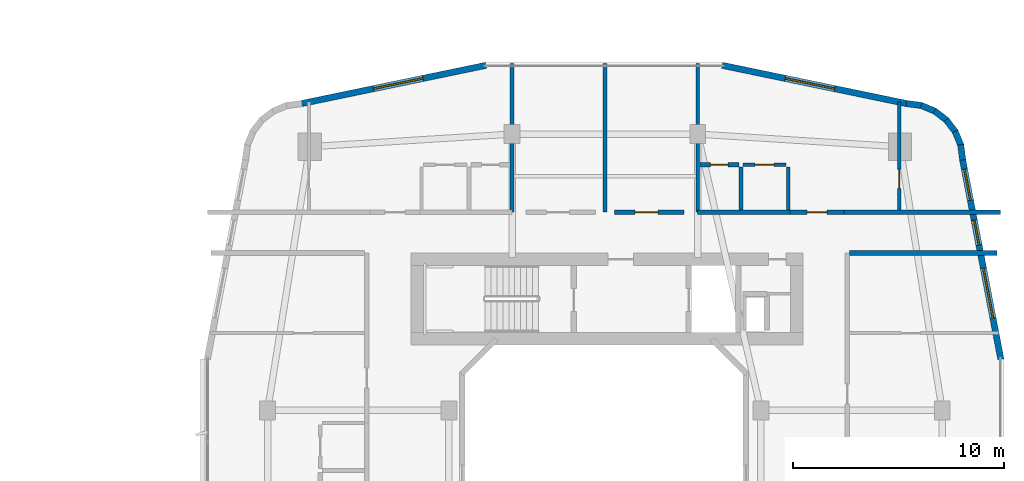
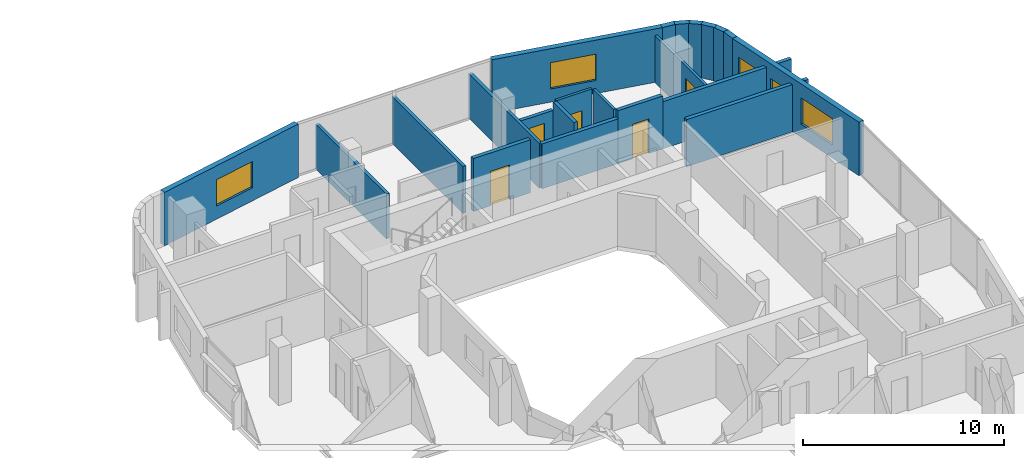
# One storey, part 21 of 27: 22 walls, 5 doors, 5 windows, 10 openings.
"""IFC4 building model written with IfcOpenShell, lengths in metres."""

from ifc_helpers import new_model, si_unit, derived_unit, direction, frame, frame_2d, origin, place, context, subcontext, project, spatial, rectangle, extrude, material, layer, layer_set, type_object, element, fill, save


model = new_model("IFC4")

# Units and contexts
model_context = context("Model", 3, precision=1e-05, world=origin(), true_north=direction((0.0, 1.0)))
body_context = subcontext(model_context, "Body", "Model", "MODEL_VIEW")
ifc_project = project(units=[si_unit("LENGTHUNIT", "METRE"), si_unit("AREAUNIT", "SQUARE_METRE"), si_unit("VOLUMEUNIT", "CUBIC_METRE"), si_unit("PLANEANGLEUNIT", "RADIAN"), si_unit("MASSUNIT", "GRAM", prefix="KILO"), derived_unit("THERMALTRANSMITTANCEUNIT", [(si_unit("POWERUNIT", "WATT"), 1), (si_unit("LENGTHUNIT", "METRE"), -2), (si_unit("THERMODYNAMICTEMPERATUREUNIT", "KELVIN"), -1)])], contexts=[model_context])

# Site, building, storey
site_placement = place(None, origin())
site = spatial("IfcSite", under=ifc_project, at=site_placement, CompositionType="ELEMENT")
building_placement = place(site_placement, origin())
building = spatial("IfcBuilding", under=site, at=building_placement, Name="Kivonza Crest Hotel", CompositionType="ELEMENT")
storey_placement = place(building_placement, frame((0.0, 0.0, 38.0)))
storey = spatial("IfcBuildingStorey", under=building, at=storey_placement, Name="L09", CompositionType="ELEMENT", Elevation=38.0)

# Walls
ifc_material_1 = material(Name="High-density acoustic masonry inter-tenancy wall", Category="masonry")
ifc_layer_1 = layer(ifc_material_1, 0.179931640625)
ifc_layer_set_1 = layer_set([ifc_layer_1], Name="High-density acoustic masonry inter-tenancy wall")
wall_type_1 = type_object("IfcWallType", Name="WL-ACOU-180", PredefinedType="SOLIDWALL", material=ifc_layer_set_1)
wall_1_placement = place(storey_placement, frame((72.60009765625, 37.89990234375, 0.0), z_axis=(0.0, 0.0, 1.0), x_axis=(0.0, 1.0, 0.0)))
element("IfcWall", 1, at=wall_1_placement, inside=storey, type_object=wall_type_1, Name="L09 interior partition WA-L09-T2N-DIV1", PredefinedType="SOLIDWALL", context=body_context, shape_type="SweptSolid", body=[
    extrude(rectangle(XDim=7.0400390625, YDim=0.179931640625, at=frame_2d((3.52001953125, 0.0))), origin(), (0.0, 0.0, 1.0), 2.72509765625),
])
wall_2_placement = place(storey_placement, frame((77.0, 37.89990234375, 0.0), z_axis=(0.0, 0.0, 1.0), x_axis=(0.0, 1.0, 0.0)))
element("IfcWall", 2, at=wall_2_placement, inside=storey, type_object=wall_type_1, Name="L09 interior partition WA-L09-T2N-OFFDIV", PredefinedType="SOLIDWALL", context=body_context, shape_type="SweptSolid", body=[
    extrude(rectangle(XDim=7.0400390625, YDim=0.179931640625, at=frame_2d((3.52001953125, 0.0))), origin(), (0.0, 0.0, 1.0), 2.864990234375),
])
wall_3_placement = place(storey_placement, frame((81.39990234375, 37.89990234375, 0.0), z_axis=(0.0, 0.0, 1.0), x_axis=(0.0, 1.0, 0.0)))
element("IfcWall", 3, at=wall_3_placement, inside=storey, type_object=wall_type_1, Name="L09 interior partition WA-L09-T2N-DIV2", PredefinedType="SOLIDWALL", context=body_context, shape_type="SweptSolid", body=[
    extrude(rectangle(XDim=7.0400390625, YDim=0.179931640625, at=frame_2d((3.52001953125, 0.0))), origin(), (0.0, 0.0, 1.0), 2.72509765625),
])

# Wall, opening, door
ifc_material_2 = material(Name="Autoclaved aerated concrete blockwork", Category="masonry")
ifc_layer_2 = layer(ifc_material_2, 0.219970703125)
ifc_layer_set_2 = layer_set([ifc_layer_2], Name="Autoclaved aerated concrete blockwork")
wall_type_2 = type_object("IfcWallType", Name="WL-ACOU-220", PredefinedType="SOLIDWALL", material=ifc_layer_set_2)
wall_4_placement = place(storey_placement, frame((77.449951171875, 37.89990234375, 0.0), z_axis=(0.0, 0.0, 1.0), x_axis=(1.0, 0.0, 0.0)))
wall_4 = element("IfcWall", 4, at=wall_4_placement, inside=storey, type_object=wall_type_2, Name="L09 interior partition WA-L09-T2-OFF2-S", PredefinedType="SOLIDWALL", context=body_context, shape_type="SweptSolid", body=[
    extrude(rectangle(XDim=3.300048828125, YDim=0.219970703125, at=frame_2d((1.64990234375, 0.0))), origin(), (0.0, 0.0, 1.0), 3.219970703125),
])
opening_1_placement = place(wall_4_placement, frame((0.97998046875, 0.0, 0.0)))
opening_1 = element("IfcOpeningElement", 5, at=opening_1_placement, cuts=wall_4, Name="Opening DF-60M", PredefinedType="OPENING", context=body_context, shape_type="SweptSolid", body=[
    extrude(rectangle(XDim=1.10009765625, YDim=2.10009765625, at=frame_2d((0.550048828125, 1.050048828125))), frame((0.0, 0.1201171875, 0.0), z_axis=(0.0, -1.0, 0.0), x_axis=(1.0, 0.0, 0.0)), (0.0, 0.0, 1.0), 0.239990234375),
])
ifc_material_3 = material(Name="Hardwood timber oak", Category="wood")
door_type_1 = type_object("IfcDoorType", Name="DR-FD60-1100", OperationType="NOTDEFINED", PredefinedType="DOOR", material=ifc_material_3)
door_1_placement = place(opening_1_placement, origin())
door_1 = element("IfcDoor", 6, at=door_1_placement, inside=storey, type_object=door_type_1, Name="L09 Resident Co-Working Study East door", OperationType="SINGLE_SWING_LEFT", OverallHeight=2.10009765625, OverallWidth=1.10009765625, PredefinedType="DOOR", context=body_context, shape_type="SweptSolid", body=[
    extrude(rectangle(XDim=1.10009765625, YDim=2.10009765625, at=frame_2d((0.550048828125, 1.050048828125))), frame((0.0, 0.02490234375, 0.0), z_axis=(0.0, -1.0, 0.0), x_axis=(1.0, 0.0, 0.0)), (0.0, 0.0, 1.0), 0.050048828125),
])
fill(opening_1, door_1)

# Walls
wall_5_placement = place(storey_placement, frame((81.39990234375, 37.89990234375, 0.0), z_axis=(0.0, 0.0, 1.0), x_axis=(1.0, 0.0, 0.0)))
element("IfcWall", 7, at=wall_5_placement, inside=storey, type_object=wall_type_2, Name="L09 interior partition WA-L09-A02-LCORR", PredefinedType="SOLIDWALL", context=body_context, shape_type="SweptSolid", body=[
    extrude(rectangle(XDim=4.380126953125, YDim=0.219970703125, at=frame_2d((2.18994140625, 0.0))), origin(), (0.0, 0.0, 1.0), 2.72509765625),
])
wall_6_placement = place(storey_placement, frame((88.35009765625, 37.89990234375, 0.0), z_axis=(0.0, 0.0, 1.0), x_axis=(1.0, 0.0, 0.0)))
element("IfcWall", 8, at=wall_6_placement, inside=storey, type_object=wall_type_2, Name="L09 interior partition WA-L09-A02-RCORR", PredefinedType="SOLIDWALL", context=body_context, shape_type="SweptSolid", body=[
    extrude(rectangle(XDim=7.409912109375, YDim=0.219970703125, at=frame_2d((3.705078125, 0.0))), origin(), (0.0, 0.0, 1.0), 2.864990234375),
])

# Wall, opening, door
wall_7_placement = place(storey_placement, frame((85.780029296875, 37.89990234375, 0.0), z_axis=(0.0, 0.0, 1.0), x_axis=(1.0, 0.0, 0.0)))
wall_7 = element("IfcWall", 9, at=wall_7_placement, inside=storey, type_object=wall_type_2, Name="L09 interior partition WA-L09-A02-MCORR", PredefinedType="SOLIDWALL", context=body_context, shape_type="SweptSolid", body=[
    extrude(rectangle(XDim=2.570068359375, YDim=0.219970703125, at=frame_2d((1.28515625, 0.0))), origin(), (0.0, 0.0, 1.0), 3.219970703125),
])
opening_2_placement = place(wall_7_placement, frame((0.81005859375, 0.0, 0.0)))
opening_2 = element("IfcOpeningElement", 10, at=opening_2_placement, cuts=wall_7, Name="Opening DU-60", PredefinedType="OPENING", context=body_context, shape_type="SweptSolid", body=[
    extrude(rectangle(XDim=0.949951171875, YDim=2.10009765625, at=frame_2d((0.47509765625, 1.050048828125))), frame((0.0, 0.1201171875, 0.0), z_axis=(0.0, -1.0, 0.0), x_axis=(1.0, 0.0, 0.0)), (0.0, 0.0, 1.0), 0.239990234375),
])
door_type_2 = type_object("IfcDoorType", Name="DR-UNIT-950", OperationType="NOTDEFINED", PredefinedType="DOOR", material=ifc_material_3)
door_2_placement = place(opening_2_placement, origin())
door_2 = element("IfcDoor", 11, at=door_2_placement, inside=storey, type_object=door_type_2, Name="L09 A02 apartment entrance fire door", OperationType="SINGLE_SWING_RIGHT", OverallHeight=2.10009765625, OverallWidth=0.949951171875, PredefinedType="DOOR", context=body_context, shape_type="SweptSolid", body=[
    extrude(rectangle(XDim=0.949951171875, YDim=2.10009765625, at=frame_2d((0.47509765625, 1.050048828125))), frame((0.0, 0.02490234375, 0.0), z_axis=(0.0, -1.0, 0.0), x_axis=(1.0, 0.0, 0.0)), (0.0, 0.0, 1.0), 0.050048828125),
])
fill(opening_2, door_2)

# Wall
wall_8_placement = place(storey_placement, frame((88.60009765625, 35.9599609375, 0.0), z_axis=(0.0, 0.0, 1.0), x_axis=(1.0, 0.0, 0.0)))
element("IfcWall", 12, at=wall_8_placement, inside=storey, type_object=wall_type_2, Name="L09 interior partition WA-L09-T2E-ENDN", PredefinedType="SOLIDWALL", context=body_context, shape_type="SweptSolid", body=[
    extrude(rectangle(XDim=7.0, YDim=0.219970703125, at=frame_2d((3.5, 0.0))), origin(), (0.0, 0.0, 1.0), 2.864990234375),
])

# Wall, openings, windows
ifc_material_4 = material(Name="Precast concrete C40/50", Category="concrete")
ifc_layer_3 = layer(ifc_material_4, 0.300048828125)
ifc_layer_set_3 = layer_set([ifc_layer_3], Name="Precast concrete C40/50")
wall_type_3 = type_object("IfcWallType", Name="WL-EXT-300", PredefinedType="STANDARD", material=ifc_layer_set_3)
wall_9_placement = place(storey_placement, frame((95.782958984375, 30.91796875, 0.0), z_axis=(0.0, 0.0, 1.0), x_axis=(-0.188087874316, 0.982152203854, 0.0)))
wall_9 = element("IfcWall", 13, at=wall_9_placement, inside=storey, type_object=wall_type_3, Name="L09 T2 exterior insulated wall 18", PredefinedType="STANDARD", context=body_context, shape_type="SweptSolid", body=[
    extrude(rectangle(XDim=9.6337890625, YDim=0.300048828125, at=frame_2d((4.81689453125, 0.0))), origin(), (0.0, 0.0, 1.0), 3.25),
])
opening_3_placement = place(wall_9_placement, frame((1.9990234375, 0.0, 0.800048828125)))
opening_3 = element("IfcOpeningElement", 14, at=opening_3_placement, cuts=wall_9, Name="Opening WN-05", PredefinedType="OPENING", context=body_context, shape_type="SweptSolid", body=[
    extrude(rectangle(XDim=2.39990234375, YDim=1.60009765625, at=frame_2d((1.199951171875, 0.800048828125))), frame((0.0, 0.16015625, 0.0), z_axis=(0.0, -1.0, 0.0), x_axis=(1.0, 0.0, 0.0)), (0.0, 0.0, 1.0), 0.320068359375),
])
opening_4_placement = place(wall_9_placement, frame((5.52099609375, 0.0, 0.85009765625)))
opening_4 = element("IfcOpeningElement", 15, at=opening_4_placement, cuts=wall_9, Name="Opening WN-01", PredefinedType="OPENING", context=body_context, shape_type="SweptSolid", body=[
    extrude(rectangle(XDim=1.199951171875, YDim=1.5, at=frame_2d((0.60009765625, 0.75))), frame((0.0, 0.16015625, 0.0), z_axis=(0.0, -1.0, 0.0), x_axis=(1.0, 0.0, 0.0)), (0.0, 0.0, 1.0), 0.320068359375),
])
opening_5_placement = place(wall_9_placement, frame((7.681884765625, 0.0, 0.85009765625)))
opening_5 = element("IfcOpeningElement", 16, at=opening_5_placement, cuts=wall_9, Name="Opening WN-02", PredefinedType="OPENING", context=body_context, shape_type="SweptSolid", body=[
    extrude(rectangle(XDim=1.5, YDim=1.5, at=frame_2d((0.75, 0.75))), frame((0.0, 0.16015625, 0.0), z_axis=(0.0, -1.0, 0.0), x_axis=(1.0, 0.0, 0.0)), (0.0, 0.0, 1.0), 0.320068359375),
])
ifc_material_5 = material(Name="Thermally broken bronze aluminium and low-E double glazing", Category="aluminium")
window_type_1 = type_object("IfcWindowType", Name="WN-120x150", PartitioningType="SINGLE_PANEL", PredefinedType="WINDOW", material=ifc_material_5)
window_1_placement = place(opening_4_placement, origin())
window_1 = element("IfcWindow", 17, at=window_1_placement, inside=storey, type_object=window_type_1, Name="L09 T2 facade window 18 bay 2", OverallHeight=1.5, OverallWidth=1.199951171875, PartitioningType="SINGLE_PANEL", PredefinedType="WINDOW", context=body_context, shape_type="SweptSolid", body=[
    extrude(rectangle(XDim=1.199951171875, YDim=1.5, at=frame_2d((0.60009765625, 0.75))), frame((0.0, 0.030029296875, 0.0), z_axis=(0.0, -1.0, 0.0), x_axis=(1.0, 0.0, 0.0)), (0.0, 0.0, 1.0), 0.06005859375),
])
fill(opening_4, window_1)
window_type_2 = type_object("IfcWindowType", Name="WN-150x150", PartitioningType="DOUBLE_PANEL_VERTICAL", PredefinedType="WINDOW", material=ifc_material_5)
window_2_placement = place(opening_5_placement, origin())
window_2 = element("IfcWindow", 18, at=window_2_placement, inside=storey, type_object=window_type_2, Name="L09 T2 facade window 18 bay 3", OverallHeight=1.5, OverallWidth=1.5, PartitioningType="SINGLE_PANEL", PredefinedType="WINDOW", context=body_context, shape_type="SweptSolid", body=[
    extrude(rectangle(XDim=1.5, YDim=1.5, at=frame_2d((0.75, 0.75))), frame((0.0, 0.030029296875, 0.0), z_axis=(0.0, -1.0, 0.0), x_axis=(1.0, 0.0, 0.0)), (0.0, 0.0, 1.0), 0.06005859375),
])
fill(opening_5, window_2)
window_type_3 = type_object("IfcWindowType", Name="WN-240x160", PartitioningType="TRIPLE_PANEL_VERTICAL", PredefinedType="WINDOW", material=ifc_material_5)
window_3_placement = place(opening_3_placement, origin())
window_3 = element("IfcWindow", 19, at=window_3_placement, inside=storey, type_object=window_type_3, Name="L09 T2 facade window 18 bay 1", OverallHeight=1.60009765625, OverallWidth=2.39990234375, PartitioningType="SINGLE_PANEL", PredefinedType="WINDOW", context=body_context, shape_type="SweptSolid", body=[
    extrude(rectangle(XDim=2.39990234375, YDim=1.60009765625, at=frame_2d((1.199951171875, 0.800048828125))), frame((0.0, 0.030029296875, 0.0), z_axis=(0.0, -1.0, 0.0), x_axis=(1.0, 0.0, 0.0)), (0.0, 0.0, 1.0), 0.06005859375),
])
fill(opening_3, window_3)

# Walls
wall_10_placement = place(storey_placement, frame((93.971923828125, 40.373046875, 0.0), z_axis=(0.0, 0.0, 1.0), x_axis=(-0.130255288807, 0.991480488834, 0.0)))
element("IfcWall", 20, at=wall_10_placement, inside=storey, type_object=wall_type_3, Name="L09 T2 exterior insulated wall 19", PredefinedType="STANDARD", context=body_context, shape_type="SweptSolid", body=[
    extrude(rectangle(XDim=0.72900390625, YDim=0.300048828125, at=frame_2d((0.364501953125, 0.0))), origin(), (0.0, 0.0, 1.0), 3.25),
])
wall_11_placement = place(storey_placement, frame((93.89599609375, 41.044921875, 0.0), z_axis=(0.0, 0.0, 1.0), x_axis=(-0.383267045233, 0.923637576129, 0.0)))
element("IfcWall", 21, at=wall_11_placement, inside=storey, type_object=wall_type_3, Name="L09 T2 exterior insulated wall 20", PredefinedType="STANDARD", context=body_context, shape_type="SweptSolid", body=[
    extrude(rectangle(XDim=0.745849609375, YDim=0.300048828125, at=frame_2d((0.373046875, 0.0))), origin(), (0.0, 0.0, 1.0), 3.25),
])
for number, where, z_axis, x_axis, name in (
    (22, (93.64111328125, 41.68896484375, 0.0), (0.0, 0.0, 1.0), (-0.608603261071, 0.793474681772, 0.0), "L09 T2 exterior insulated wall 21"),
    (23, (93.22900390625, 42.24609375, 0.0), (0.0, 0.0, 1.0), (-0.79363269798, 0.608397189915, 0.0), "L09 T2 exterior insulated wall 22"),
):
    element("IfcWall", number, at=place(storey_placement, frame(where, z_axis=z_axis, x_axis=x_axis)), inside=storey, type_object=wall_type_3, Name=name, PredefinedType="STANDARD", context=body_context, shape_type="SweptSolid", body=[
        extrude(rectangle(XDim=0.74609375, YDim=0.300048828125, at=frame_2d((0.373046875, 0.0))), origin(), (0.0, 0.0, 1.0), 3.25),
    ])
wall_12_placement = place(storey_placement, frame((92.68603515625, 42.676025390625, 0.0), z_axis=(0.0, 0.0, 1.0), x_axis=(-0.923637576129, 0.383267045233, 0.0)))
element("IfcWall", 24, at=wall_12_placement, inside=storey, type_object=wall_type_3, Name="L09 T2 exterior insulated wall 23", PredefinedType="STANDARD", context=body_context, shape_type="SweptSolid", body=[
    extrude(rectangle(XDim=0.745849609375, YDim=0.300048828125, at=frame_2d((0.373046875, 0.0))), origin(), (0.0, 0.0, 1.0), 3.25),
])
wall_13_placement = place(storey_placement, frame((92.051025390625, 42.952880859375, 0.0), z_axis=(0.0, 0.0, 1.0), x_axis=(-0.991559404866, 0.129653178221, 0.0)))
element("IfcWall", 25, at=wall_13_placement, inside=storey, type_object=wall_type_3, Name="L09 T2 exterior insulated wall 24", PredefinedType="STANDARD", context=body_context, shape_type="SweptSolid", body=[
    extrude(rectangle(XDim=0.764404296875, YDim=0.300048828125, at=frame_2d((0.38232421875, 0.0))), origin(), (0.0, 0.0, 1.0), 3.25),
])

# Wall, opening, window
wall_14_placement = place(storey_placement, frame((91.298095703125, 43.051025390625, 0.0), z_axis=(0.0, 0.0, 1.0), x_axis=(-0.979128391325, 0.203242695569, 0.0)))
wall_14 = element("IfcWall", 26, at=wall_14_placement, inside=storey, type_object=wall_type_3, Name="L09 T2 exterior insulated wall 25", PredefinedType="STANDARD", context=body_context, shape_type="SweptSolid", body=[
    extrude(rectangle(XDim=8.92041015625, YDim=0.300048828125, at=frame_2d((4.460205078125, 0.0))), origin(), (0.0, 0.0, 1.0), 3.25),
])
opening_6_placement = place(wall_14_placement, frame((3.471923828125, 0.0, 0.800048828125)))
opening_6 = element("IfcOpeningElement", 27, at=opening_6_placement, cuts=wall_14, Name="Opening WN-05", PredefinedType="OPENING", context=body_context, shape_type="SweptSolid", body=[
    extrude(rectangle(XDim=2.39990234375, YDim=1.60009765625, at=frame_2d((1.199951171875, 0.800048828125))), frame((0.0, 0.16015625, 0.0), z_axis=(0.0, -1.0, 0.0), x_axis=(1.0, 0.0, 0.0)), (0.0, 0.0, 1.0), 0.320068359375),
])
window_4_placement = place(opening_6_placement, origin())
window_4 = element("IfcWindow", 28, at=window_4_placement, inside=storey, type_object=window_type_3, Name="L09 T2 facade window 25", OverallHeight=1.60009765625, OverallWidth=2.39990234375, PartitioningType="SINGLE_PANEL", PredefinedType="WINDOW", context=body_context, shape_type="SweptSolid", body=[
    extrude(rectangle(XDim=2.39990234375, YDim=1.60009765625, at=frame_2d((1.199951171875, 0.800048828125))), frame((0.0, 0.030029296875, 0.0), z_axis=(0.0, -1.0, 0.0), x_axis=(1.0, 0.0, 0.0)), (0.0, 0.0, 1.0), 0.06005859375),
])
fill(opening_6, window_4)

wall_15_placement = place(storey_placement, frame((71.35595703125, 44.864013671875, 0.0), z_axis=(0.0, 0.0, 1.0), x_axis=(-0.979127260729, -0.203248142175, 0.0)))
wall_15 = element("IfcWall", 29, at=wall_15_placement, inside=storey, type_object=wall_type_3, Name="L09 T2 exterior insulated wall 27", PredefinedType="STANDARD", context=body_context, shape_type="SweptSolid", body=[
    extrude(rectangle(XDim=8.920166015625, YDim=0.300048828125, at=frame_2d((4.4599609375, 0.0))), origin(), (0.0, 0.0, 1.0), 3.25),
])
opening_7_placement = place(wall_15_placement, frame((3.048095703125, 0.0, 0.800048828125)))
opening_7 = element("IfcOpeningElement", 30, at=opening_7_placement, cuts=wall_15, Name="Opening WN-05", PredefinedType="OPENING", context=body_context, shape_type="SweptSolid", body=[
    extrude(rectangle(XDim=2.39990234375, YDim=1.60009765625, at=frame_2d((1.199951171875, 0.800048828125))), frame((0.0, 0.16015625, 0.0), z_axis=(0.0, -1.0, 0.0), x_axis=(1.0, 0.0, 0.0)), (0.0, 0.0, 1.0), 0.320068359375),
])
window_5_placement = place(opening_7_placement, origin())
window_5 = element("IfcWindow", 31, at=window_5_placement, inside=storey, type_object=window_type_3, Name="L09 T2 facade window 27", OverallHeight=1.60009765625, OverallWidth=2.39990234375, PartitioningType="SINGLE_PANEL", PredefinedType="WINDOW", context=body_context, shape_type="SweptSolid", body=[
    extrude(rectangle(XDim=2.39990234375, YDim=1.60009765625, at=frame_2d((1.199951171875, 0.800048828125))), frame((0.0, 0.030029296875, 0.0), z_axis=(0.0, -1.0, 0.0), x_axis=(1.0, 0.0, 0.0)), (0.0, 0.0, 1.0), 0.06005859375),
])
fill(opening_7, window_5)

# Wall, opening, door
ifc_material_6 = material(Name="Twin-stud acoustic gypsum board partition", Category="gypsum")
ifc_layer_4 = layer(ifc_material_6, 0.14990234375)
ifc_layer_set_4 = layer_set([ifc_layer_4], Name="Twin-stud acoustic gypsum board partition")
wall_type_4 = type_object("IfcWallType", Name="WL-PART-150", PredefinedType="PARTITIONING", material=ifc_layer_set_4)
wall_16_placement = place(storey_placement, frame((90.9599609375, 38.0, 0.0), z_axis=(0.0, 0.0, 1.0), x_axis=(0.0, 1.0, 0.0)))
wall_16 = element("IfcWall", 32, at=wall_16_placement, inside=storey, type_object=wall_type_4, Name="L09 interior partition WP-L09-A02-BDW1", PredefinedType="PARTITIONING", context=body_context, shape_type="SweptSolid", body=[
    extrude(rectangle(XDim=5.113037109375, YDim=0.14990234375, at=frame_2d((2.556640625, 0.0))), origin(), (0.0, 0.0, 1.0), 2.864990234375),
])
opening_8_placement = place(wall_16_placement, frame((1.030029296875, 0.0, 0.0)))
opening_8 = element("IfcOpeningElement", 33, at=opening_8_placement, cuts=wall_16, Name="Opening DI-90", PredefinedType="OPENING", context=body_context, shape_type="SweptSolid", body=[
    extrude(rectangle(XDim=0.89990234375, YDim=2.10009765625, at=frame_2d((0.449951171875, 1.050048828125))), frame((0.0, 0.0849609375, 0.0), z_axis=(0.0, -1.0, 0.0), x_axis=(1.0, 0.0, 0.0)), (0.0, 0.0, 1.0), 0.169921875),
])
door_type_3 = type_object("IfcDoorType", Name="DR-INT-900", OperationType="NOTDEFINED", PredefinedType="DOOR", material=ifc_material_3)
door_3_placement = place(opening_8_placement, origin())
door_3 = element("IfcDoor", 34, at=door_3_placement, inside=storey, type_object=door_type_3, Name="L09 A02 bedroom 1 door", OperationType="SINGLE_SWING_LEFT", OverallHeight=2.10009765625, OverallWidth=0.89990234375, PredefinedType="DOOR", context=body_context, shape_type="SweptSolid", body=[
    extrude(rectangle(XDim=0.89990234375, YDim=2.10009765625, at=frame_2d((0.449951171875, 1.050048828125))), frame((0.0, 0.02490234375, 0.0), z_axis=(0.0, -1.0, 0.0), x_axis=(1.0, 0.0, 0.0)), (0.0, 0.0, 1.0), 0.050048828125),
])
fill(opening_8, door_3)

# Wall
wall_17_placement = place(storey_placement, frame((85.699951171875, 38.0, 0.0), z_axis=(0.0, 0.0, 1.0), x_axis=(0.0, 1.0, 0.0)))
element("IfcWall", 35, at=wall_17_placement, inside=storey, type_object=wall_type_4, Name="L09 interior partition WP-L09-A02-KF", PredefinedType="PARTITIONING", context=body_context, shape_type="SweptSolid", body=[
    extrude(rectangle(XDim=2.050048828125, YDim=0.14990234375, at=frame_2d((1.02490234375, 0.0))), origin(), (0.0, 0.0, 1.0), 3.219970703125),
])

# Wall, opening, door
wall_18_placement = place(storey_placement, frame((83.550048828125, 40.14990234375, 0.0), z_axis=(0.0, 0.0, 1.0), x_axis=(1.0, 0.0, 0.0)))
wall_18 = element("IfcWall", 36, at=wall_18_placement, inside=storey, type_object=wall_type_4, Name="L09 interior partition WP-L09-A02-KSVC", PredefinedType="PARTITIONING", context=body_context, shape_type="SweptSolid", body=[
    extrude(rectangle(XDim=2.050048828125, YDim=0.14990234375, at=frame_2d((1.02490234375, 0.0))), origin(), (0.0, 0.0, 1.0), 3.219970703125),
])
opening_9_placement = place(wall_18_placement, frame((0.574951171875, 0.0, 0.0)))
opening_9 = element("IfcOpeningElement", 37, at=opening_9_placement, cuts=wall_18, Name="Opening DI-90", PredefinedType="OPENING", context=body_context, shape_type="SweptSolid", body=[
    extrude(rectangle(XDim=0.89990234375, YDim=2.10009765625, at=frame_2d((0.449951171875, 1.050048828125))), frame((0.0, 0.0849609375, 0.0), z_axis=(0.0, -1.0, 0.0), x_axis=(1.0, 0.0, 0.0)), (0.0, 0.0, 1.0), 0.169921875),
])
door_4_placement = place(opening_9_placement, origin())
door_4 = element("IfcDoor", 38, at=door_4_placement, inside=storey, type_object=door_type_3, Name="L09 A02 apartment kitchen door", OperationType="SINGLE_SWING_RIGHT", OverallHeight=2.10009765625, OverallWidth=0.89990234375, PredefinedType="DOOR", context=body_context, shape_type="SweptSolid", body=[
    extrude(rectangle(XDim=0.89990234375, YDim=2.10009765625, at=frame_2d((0.449951171875, 1.050048828125))), frame((0.0, 0.02490234375, 0.0), z_axis=(0.0, -1.0, 0.0), x_axis=(1.0, 0.0, 0.0)), (0.0, 0.0, 1.0), 0.050048828125),
])
fill(opening_9, door_4)

# Wall
ifc_material_7 = material(Name="Moisture-resistant plumbing chase partition wall", Category="gypsum")
ifc_layer_5 = layer(ifc_material_7, 0.199951171875)
ifc_layer_set_5 = layer_set([ifc_layer_5], Name="Moisture-resistant plumbing chase partition wall")
wall_type_5 = type_object("IfcWallType", Name="WL-PLUMB-200", PredefinedType="PLUMBINGWALL", material=ifc_layer_set_5)
wall_19_placement = place(storey_placement, frame((83.449951171875, 38.0, 0.0), z_axis=(0.0, 0.0, 1.0), x_axis=(0.0, 1.0, 0.0)))
element("IfcWall", 39, at=wall_19_placement, inside=storey, type_object=wall_type_5, Name="L09 interior partition WW-L09-A02-BK", PredefinedType="PLUMBINGWALL", context=body_context, shape_type="SweptSolid", body=[
    extrude(rectangle(XDim=2.050048828125, YDim=0.199951171875, at=frame_2d((1.02490234375, 0.0))), origin(), (0.0, 0.0, 1.0), 3.219970703125),
])

# Wall, opening, door
wall_20_placement = place(storey_placement, frame((81.5, 40.14990234375, 0.0), z_axis=(0.0, 0.0, 1.0), x_axis=(1.0, 0.0, 0.0)))
wall_20 = element("IfcWall", 40, at=wall_20_placement, inside=storey, type_object=wall_type_5, Name="L09 interior partition WW-L09-A02-BSVC", PredefinedType="PLUMBINGWALL", context=body_context, shape_type="SweptSolid", body=[
    extrude(rectangle(XDim=1.85009765625, YDim=0.199951171875, at=frame_2d((0.925048828125, 0.0))), origin(), (0.0, 0.0, 1.0), 2.72509765625),
])
opening_10_placement = place(wall_20_placement, frame((0.5, 0.0, 0.0)))
opening_10 = element("IfcOpeningElement", 41, at=opening_10_placement, cuts=wall_20, Name="Opening DI-85", PredefinedType="OPENING", context=body_context, shape_type="SweptSolid", body=[
    extrude(rectangle(XDim=0.85009765625, YDim=2.10009765625, at=frame_2d((0.425048828125, 1.050048828125))), frame((0.0, 0.10986328125, 0.0), z_axis=(0.0, -1.0, 0.0), x_axis=(1.0, 0.0, 0.0)), (0.0, 0.0, 1.0), 0.219970703125),
])
door_type_4 = type_object("IfcDoorType", Name="DR-INT-850", OperationType="NOTDEFINED", PredefinedType="DOOR", material=ifc_material_3)
door_5_placement = place(opening_10_placement, origin())
door_5 = element("IfcDoor", 42, at=door_5_placement, inside=storey, type_object=door_type_4, Name="L09 A02 apartment bathroom door", OperationType="SINGLE_SWING_LEFT", OverallHeight=2.10009765625, OverallWidth=0.85009765625, PredefinedType="DOOR", context=body_context, shape_type="SweptSolid", body=[
    extrude(rectangle(XDim=0.85009765625, YDim=2.10009765625, at=frame_2d((0.425048828125, 1.050048828125))), frame((0.0, 0.02490234375, 0.0), z_axis=(0.0, -1.0, 0.0), x_axis=(1.0, 0.0, 0.0)), (0.0, 0.0, 1.0), 0.050048828125),
])
fill(opening_10, door_5)

save(model, "model.ifc")
